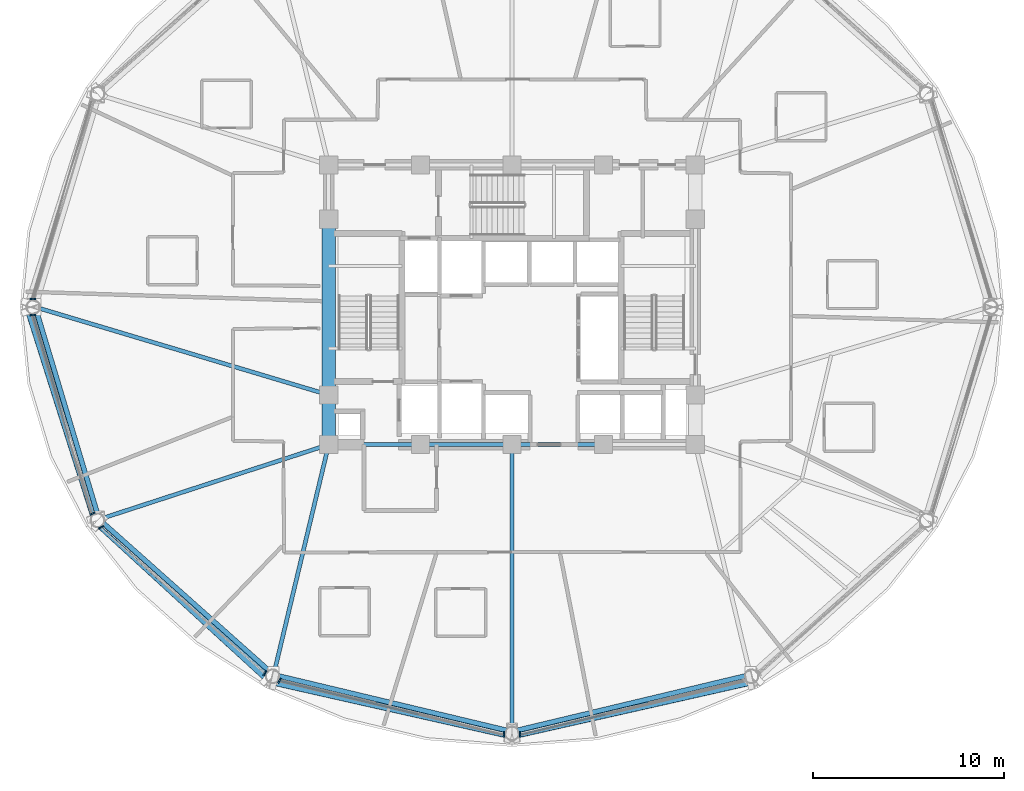
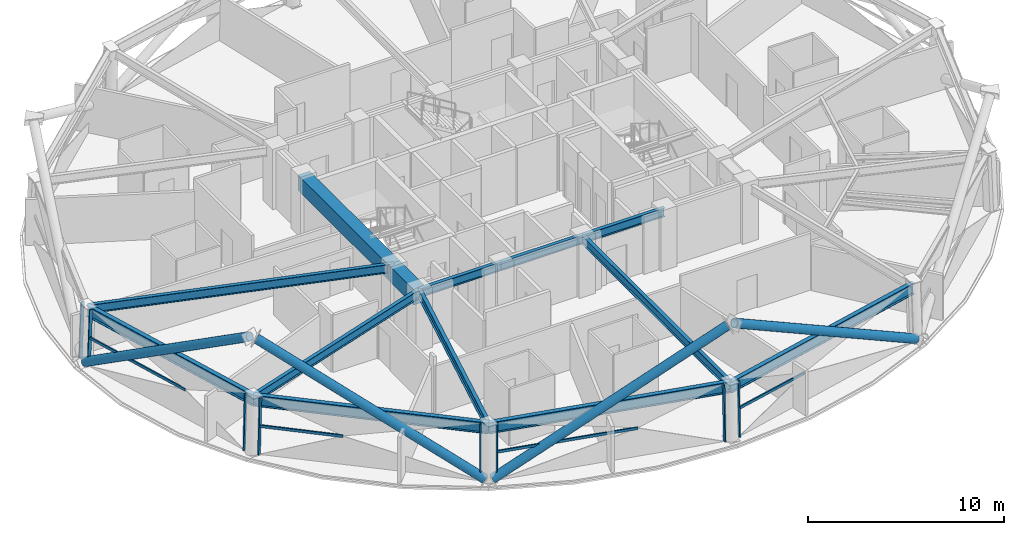
# One storey, part 2 of 15: 16 members, 13 beams, 5 elements without a shape of their own.
"""IFC4 building model written with IfcOpenShell, lengths in metres."""

from ifc_helpers import new_model, si_unit, direction, frame, origin, origin_2d, place, context, subcontext, project, spatial, rectangle, hollow_rectangle, hollow_circle, i_section, extrude, material, layer, layer_set, material_profile, profile_set, type_object, element, aggregate, save


model = new_model("IFC4")

# Units and contexts
model_context = context("Model", 3, precision=1e-05, world=origin(), true_north=direction((0.0, 1.0)))
body_context = subcontext(model_context, "Body", "Model", "MODEL_VIEW")
ifc_project = project(units=[si_unit("LENGTHUNIT", "METRE"), si_unit("AREAUNIT", "SQUARE_METRE"), si_unit("VOLUMEUNIT", "CUBIC_METRE"), si_unit("PLANEANGLEUNIT", "RADIAN"), si_unit("MASSUNIT", "GRAM", prefix="KILO")], contexts=[model_context])

# Site, building, storey
site_placement = place(None, origin())
site = spatial("IfcSite", under=ifc_project, at=site_placement, CompositionType="ELEMENT")
building_placement = place(site_placement, origin())
building = spatial("IfcBuilding", under=site, at=building_placement, Name="Vantalir Tower", CompositionType="ELEMENT")
storey_placement = place(building_placement, frame((0.0, 0.0, 134.699951171875)))
storey = spatial("IfcBuildingStorey", under=building, at=storey_placement, Name="L33", CompositionType="ELEMENT", Elevation=134.699951171875)

# Beams
ifc_material_1 = material(Name="Concrete C60/75", Category="concrete")
ifc_material_profile_1 = material_profile(ifc_material_1, rectangle(XDim=0.699951171875, YDim=0.949951171875, at=origin_2d()), Name="Concrete C60/75")
ifc_profile_set_1 = profile_set([ifc_material_profile_1], Name="Concrete C60/75")
beam_type_1 = type_object("IfcBeamType", Name="BM-CB-700x950", PredefinedType="USERDEFINED", material=ifc_profile_set_1)
beam_1_placement = place(storey_placement, frame((21.89990234375, 29.60009765625, 3.094970703125), z_axis=(0.0, -1.0, 0.0), x_axis=(1.0, 0.0, 0.0)))
element("IfcBeam", 1, at=beam_1_placement, inside=storey, type_object=beam_type_1, Name="L33 Core Coupling Girder 13", ObjectType="GIRDER", PredefinedType="USERDEFINED", context=body_context, shape_type="SweptSolid", body=[
    extrude(rectangle(XDim=0.699951171875, YDim=0.949951171875, at=origin_2d()), origin(), (0.0, 0.0, 1.0), 9.2001953125),
])
beam_2_placement = place(storey_placement, frame((21.89990234375, 20.39990234375, 3.094970703125), z_axis=(0.0, -1.0, 0.0), x_axis=(1.0, 0.0, 0.0)))
element("IfcBeam", 2, at=beam_2_placement, inside=storey, type_object=beam_type_1, Name="L33 Core Coupling Girder 14", ObjectType="GIRDER", PredefinedType="USERDEFINED", context=body_context, shape_type="SweptSolid", body=[
    extrude(rectangle(XDim=0.699951171875, YDim=0.949951171875, at=origin_2d()), origin(), (0.0, 0.0, 1.0), 2.599853515625),
])
ifc_material_2 = material(Name="Steel S355", Category="steel")
ifc_material_profile_2 = material_profile(ifc_material_2, i_section(OverallWidth=0.2109375, OverallDepth=0.5390625, WebThickness=0.01171875, FlangeThickness=0.018798828125, at=origin_2d()), Name="Steel S355")
ifc_profile_set_2 = profile_set([ifc_material_profile_2], Name="Steel S355")
beam_type_2 = type_object("IfcBeamType", Name="BM-RB-533x210", PredefinedType="BEAM", material=ifc_profile_set_2)
for number, where, z_axis, x_axis, name in (
    (3, (21.89990234375, 17.800048828125, 3.301025390625), (1.0, 0.0, 0.0), (0.0, 1.0, 0.0), "L33 Core Coupling Girder 01"),
    (4, (26.699951171875, 17.800048828125, 3.301025390625), (1.0, 0.0, 0.0), (0.0, 1.0, 0.0), "L33 Core Coupling Girder 02"),
    (5, (31.5, 17.800048828125, 3.301025390625), (1.0, 0.0, 0.0), (0.0, 1.0, 0.0), "L33 Core Coupling Girder 03"),
):
    element("IfcBeam", number, at=place(storey_placement, frame(where, z_axis=z_axis, x_axis=x_axis)), inside=storey, type_object=beam_type_2, Name=name, PredefinedType="BEAM", context=body_context, shape_type="SweptSolid", body=[
        extrude(i_section(OverallWidth=0.2109375, OverallDepth=0.5390625, WebThickness=0.01171875, FlangeThickness=0.018798828125, at=origin_2d()), origin(), (0.0, 0.0, 1.0), 4.800048828125),
    ])
beam_3_placement = place(storey_placement, frame((6.531005859375, 25.0, 3.301025390625), z_axis=(0.95800745753, -0.286743284694, 0.0), x_axis=(0.286743284694, 0.95800745753, 0.0)))
element("IfcBeam", 6, at=beam_3_placement, inside=storey, type_object=beam_type_2, Name="L33 Radial Floor Beam 07", PredefinedType="BEAM", context=body_context, shape_type="SweptSolid", body=[
    extrude(i_section(OverallWidth=0.2109375, OverallDepth=0.5390625, WebThickness=0.01171875, FlangeThickness=0.018798828125, at=origin_2d()), origin(), (0.0, 0.0, 1.0), 16.04248046875),
])
beam_4_placement = place(storey_placement, frame((9.8759765625, 13.882080078125, 3.301025390625), z_axis=(0.950796862904, 0.309814985906, 0.0), x_axis=(-0.309814985906, 0.950796862904, 0.0)))
element("IfcBeam", 7, at=beam_4_placement, inside=storey, type_object=beam_type_2, Name="L33 Radial Floor Beam 08", PredefinedType="BEAM", context=body_context, shape_type="SweptSolid", body=[
    extrude(i_section(OverallWidth=0.2109375, OverallDepth=0.5390625, WebThickness=0.01171875, FlangeThickness=0.018798828125, at=origin_2d()), origin(), (0.0, 0.0, 1.0), 12.646240234375),
])
beam_5_placement = place(storey_placement, frame((19.014892578125, 5.743896484375, 3.301025390625), z_axis=(0.232727102001, 0.972542079292, 0.0), x_axis=(-0.972542079292, 0.232727102001, 0.0)))
element("IfcBeam", 8, at=beam_5_placement, inside=storey, type_object=beam_type_2, Name="L33 Radial Floor Beam 09", PredefinedType="BEAM", context=body_context, shape_type="SweptSolid", body=[
    extrude(i_section(OverallWidth=0.2109375, OverallDepth=0.5390625, WebThickness=0.01171875, FlangeThickness=0.018798828125, at=origin_2d()), origin(), (0.0, 0.0, 1.0), 12.396484375),
])
beam_6_placement = place(storey_placement, frame((31.5, 2.764892578125, 3.301025390625), z_axis=(0.0, 1.0, 0.0), x_axis=(-1.0, 0.0, 0.0)))
element("IfcBeam", 9, at=beam_6_placement, inside=storey, type_object=beam_type_2, Name="L33 Radial Floor Beam 10", PredefinedType="BEAM", context=body_context, shape_type="SweptSolid", body=[
    extrude(i_section(OverallWidth=0.2109375, OverallDepth=0.5390625, WebThickness=0.01171875, FlangeThickness=0.018798828125, at=origin_2d()), origin(), (0.0, 0.0, 1.0), 15.03515625),
])
ifc_material_3 = material(Name="Steel S460", Category="steel")
ifc_material_profile_3 = material_profile(ifc_material_3, i_section(OverallWidth=0.256103515625, OverallDepth=0.693115234375, WebThickness=0.014404296875, FlangeThickness=0.023681640625, at=origin_2d()), Name="Steel S460")
ifc_profile_set_3 = profile_set([ifc_material_profile_3], Name="Steel S460")
beam_type_3 = type_object("IfcBeamType", Name="BM-RG-686x254", PredefinedType="USERDEFINED", material=ifc_profile_set_3)
beam_7_placement = place(storey_placement, frame((6.531005859375, 25.0, 3.22412109375), z_axis=(0.288105964569, -0.95759853445, 0.0), x_axis=(0.95759853445, 0.288105964569, 0.0)))
element("IfcBeam", 10, at=beam_7_placement, inside=storey, type_object=beam_type_3, Name="L33 Circumferential Ring Girder 07", ObjectType="GIRDER", PredefinedType="USERDEFINED", context=body_context, shape_type="SweptSolid", body=[
    extrude(i_section(OverallWidth=0.256103515625, OverallDepth=0.693115234375, WebThickness=0.014404296875, FlangeThickness=0.023681640625, at=origin_2d()), origin(), (0.0, 0.0, 1.0), 11.610107421875),
])
beam_8_placement = place(storey_placement, frame((9.8759765625, 13.882080078125, 3.22412109375), z_axis=(0.746812424308, -0.665034738115, 0.0), x_axis=(0.665034738115, 0.746812424308, 0.0)))
element("IfcBeam", 11, at=beam_8_placement, inside=storey, type_object=beam_type_3, Name="L33 Circumferential Ring Girder 08", ObjectType="GIRDER", PredefinedType="USERDEFINED", context=body_context, shape_type="SweptSolid", body=[
    extrude(i_section(OverallWidth=0.256103515625, OverallDepth=0.693115234375, WebThickness=0.014404296875, FlangeThickness=0.023681640625, at=origin_2d()), origin(), (0.0, 0.0, 1.0), 12.2373046875),
])
for number, where, z_axis, x_axis, name in (
    (12, (19.014892578125, 5.743896484375, 3.22412109375), (0.972694467918, -0.232089362278, 0.0), (0.232089362278, 0.972694467918, 0.0), "L33 Circumferential Ring Girder 09"),
    (13, (31.5, 2.764892578125, 3.18408203125), (0.972694467918, 0.232089362278, 0.0), (-0.232089362278, 0.972694467918, 0.0), "L33 Circumferential Ring Girder 10"),
):
    element("IfcBeam", number, at=place(storey_placement, frame(where, z_axis=z_axis, x_axis=x_axis)), inside=storey, type_object=beam_type_3, Name=name, ObjectType="GIRDER", PredefinedType="USERDEFINED", context=body_context, shape_type="SweptSolid", body=[
        extrude(i_section(OverallWidth=0.256103515625, OverallDepth=0.693115234375, WebThickness=0.014404296875, FlangeThickness=0.023681640625, at=origin_2d()), origin(), (0.0, 0.0, 1.0), 12.835693359375),
    ])

# Curtain wall, member
ifc_material_4 = material(Name="Champagne-silver PVDF aluminium and double-silver Low-E glass", Category="aluminium")
ifc_layer = layer(ifc_material_4, 0.199951171875)
ifc_layer_set = layer_set([ifc_layer], Name="Champagne-silver PVDF aluminium and double-silver Low-E glass")
curtain_wall_type = type_object("IfcCurtainWallType", Name="CW-DIAMOND-Z2", PredefinedType="USERDEFINED", material=ifc_layer_set)
curtain_wall_1_placement = place(storey_placement, origin())
curtain_wall_1 = element("IfcCurtainWall", 14, at=curtain_wall_1_placement, inside=storey, type_object=curtain_wall_type, Name="L33 Quilted Pyramid-Diamond Curtain Wall S06", ObjectType="UNITISED CURTAIN WALL", PredefinedType="USERDEFINED")
ifc_material_5 = material(Name="Champagne-silver PVDF aluminium 6063-T6", Category="aluminium")
ifc_material_profile_4 = material_profile(ifc_material_5, hollow_rectangle(XDim=0.074951171875, YDim=0.179931640625, WallThickness=0.00390625, at=origin_2d()), Name="Champagne-silver PVDF aluminium 6063-T6")
ifc_profile_set_4 = profile_set([ifc_material_profile_4], Name="Champagne-silver PVDF aluminium 6063-T6")
member_type_1 = type_object("IfcMemberType", Name="CWM-180x75", PredefinedType="MULLION", material=ifc_profile_set_4)
member_1_placement = place(storey_placement, frame((6.343994140625, 25.4208984375, 0.045166015625), z_axis=(0.035616506926, 0.0, 0.999365530942), x_axis=(0.0, 1.0, 0.0)))
member_1 = element("IfcMember", 15, at=member_1_placement, type_object=member_type_1, Name="CW-L33-S06 Mullion 2", PredefinedType="MULLION", context=body_context, shape_type="SweptSolid", body=[
    extrude(hollow_rectangle(XDim=0.074951171875, YDim=0.179931640625, WallThickness=0.00390625, at=origin_2d()), origin(), (0.0, 0.0, 1.0), 3.482177734375),
])
aggregate(curtain_wall_1, [member_1])

# Curtain wall, members
curtain_wall_2_placement = place(storey_placement, origin())
curtain_wall_2 = element("IfcCurtainWall", 16, at=curtain_wall_2_placement, inside=storey, type_object=curtain_wall_type, Name="L33 Quilted Pyramid-Diamond Curtain Wall S07", ObjectType="UNITISED CURTAIN WALL", PredefinedType="USERDEFINED")
member_2_placement = place(storey_placement, frame((6.343994140625, 24.5791015625, 0.045166015625), z_axis=(0.035616506926, 0.0, 0.999365530942), x_axis=(0.0, 1.0, 0.0)))
member_2 = element("IfcMember", 17, at=member_2_placement, type_object=member_type_1, Name="CW-L33-S07 Mullion 1", PredefinedType="MULLION", context=body_context, shape_type="SweptSolid", body=[
    extrude(hollow_rectangle(XDim=0.074951171875, YDim=0.179931640625, WallThickness=0.00390625, at=origin_2d()), origin(), (0.0, 0.0, 1.0), 3.482177734375),
])
member_3_placement = place(storey_placement, frame((9.47705078125, 14.153076171875, 0.045166015625), z_axis=(0.030990085207, 0.015775495863, 0.999395191278), x_axis=(-0.453653926964, 0.891177936525, 0.0)))
member_3 = element("IfcMember", 18, at=member_3_placement, type_object=member_type_1, Name="CW-L33-S07 Mullion 2", PredefinedType="MULLION", context=body_context, shape_type="SweptSolid", body=[
    extrude(hollow_rectangle(XDim=0.074951171875, YDim=0.179931640625, WallThickness=0.00390625, at=origin_2d()), origin(), (0.0, 0.0, 1.0), 3.482177734375),
])

curtain_wall_3_placement = place(storey_placement, origin())
curtain_wall_3 = element("IfcCurtainWall", 19, at=curtain_wall_3_placement, inside=storey, type_object=curtain_wall_type, Name="L33 Quilted Pyramid-Diamond Curtain Wall S08", ObjectType="UNITISED CURTAIN WALL", PredefinedType="USERDEFINED")
member_4_placement = place(storey_placement, frame((9.931884765625, 13.43896484375, 0.045166015625), z_axis=(0.031060130958, 0.015775461548, 0.999393017325), x_axis=(-0.452840062029, 0.891591766573, 0.0)))
member_4 = element("IfcMember", 20, at=member_4_placement, type_object=member_type_1, Name="CW-L33-S08 Mullion 1", PredefinedType="MULLION", context=body_context, shape_type="SweptSolid", body=[
    extrude(hollow_rectangle(XDim=0.074951171875, YDim=0.179931640625, WallThickness=0.00390625, at=origin_2d()), origin(), (0.0, 0.0, 1.0), 3.482177734375),
])
member_5_placement = place(storey_placement, frame((18.530029296875, 5.777099609375, 0.045166015625), z_axis=(0.017810101984, 0.02727610107, 0.99946926645), x_axis=(-0.837310723629, 0.546727310545, 0.0)))
member_5 = element("IfcMember", 21, at=member_5_placement, type_object=member_type_1, Name="CW-L33-S08 Mullion 2", PredefinedType="MULLION", context=body_context, shape_type="SweptSolid", body=[
    extrude(hollow_rectangle(XDim=0.074951171875, YDim=0.179931640625, WallThickness=0.00390625, at=origin_2d()), origin(), (0.0, 0.0, 1.0), 3.48193359375),
])

curtain_wall_4_placement = place(storey_placement, origin())
curtain_wall_4 = element("IfcCurtainWall", 22, at=curtain_wall_4_placement, inside=storey, type_object=curtain_wall_type, Name="L33 Quilted Pyramid-Diamond Curtain Wall S09", ObjectType="UNITISED CURTAIN WALL", PredefinedType="USERDEFINED")
member_6_placement = place(storey_placement, frame((19.285888671875, 5.382080078125, 0.045166015625), z_axis=(0.017810101984, 0.02727610107, 0.99946926645), x_axis=(-0.837310723629, 0.546727310545, 0.0)))
member_6 = element("IfcMember", 23, at=member_6_placement, type_object=member_type_1, Name="CW-L33-S09 Mullion 1", PredefinedType="MULLION", context=body_context, shape_type="SweptSolid", body=[
    extrude(hollow_rectangle(XDim=0.074951171875, YDim=0.179931640625, WallThickness=0.00390625, at=origin_2d()), origin(), (0.0, 0.0, 1.0), 3.48193359375),
])
member_7_placement = place(storey_placement, frame((31.072021484375, 2.56689453125, 0.045166015625), z_axis=(0.0, 0.031624415617, 0.99949982308), x_axis=(-1.0, 0.0, 0.0)))
member_7 = element("IfcMember", 24, at=member_7_placement, type_object=member_type_1, Name="CW-L33-S09 Mullion 2", PredefinedType="MULLION", context=body_context, shape_type="SweptSolid", body=[
    extrude(hollow_rectangle(XDim=0.074951171875, YDim=0.179931640625, WallThickness=0.00390625, at=origin_2d()), origin(), (0.0, 0.0, 1.0), 3.481689453125),
])

# Curtain wall, member
curtain_wall_5_placement = place(storey_placement, origin())
curtain_wall_5 = element("IfcCurtainWall", 25, at=curtain_wall_5_placement, inside=storey, type_object=curtain_wall_type, Name="L33 Quilted Pyramid-Diamond Curtain Wall S10", ObjectType="UNITISED CURTAIN WALL", PredefinedType="USERDEFINED")
member_8_placement = place(storey_placement, frame((31.927978515625, 2.56689453125, 0.045166015625), z_axis=(0.0, 0.031624415617, 0.99949982308), x_axis=(-1.0, 0.0, 0.0)))
member_8 = element("IfcMember", 26, at=member_8_placement, type_object=member_type_1, Name="CW-L33-S10 Mullion 1", PredefinedType="MULLION", context=body_context, shape_type="SweptSolid", body=[
    extrude(hollow_rectangle(XDim=0.074951171875, YDim=0.179931640625, WallThickness=0.00390625, at=origin_2d()), origin(), (0.0, 0.0, 1.0), 3.481689453125),
])

# Member
ifc_material_profile_5 = material_profile(ifc_material_5, hollow_rectangle(XDim=0.074951171875, YDim=0.159912109375, WallThickness=0.00390625, at=origin_2d()), Name="Champagne-silver PVDF aluminium 6063-T6")
ifc_profile_set_5 = profile_set([ifc_material_profile_5], Name="Champagne-silver PVDF aluminium 6063-T6")
member_type_2 = type_object("IfcMemberType", Name="CWT-160x75", PredefinedType="USERDEFINED", material=ifc_profile_set_5)
member_9_placement = place(storey_placement, frame((6.406005859375, 24.5791015625, 1.78515625), z_axis=(0.284458727708, -0.958688287313, 0.0), x_axis=(0.958688287313, 0.284458727708, 0.0)))
member_9 = element("IfcMember", 27, at=member_9_placement, type_object=member_type_2, Name="CW-L33-S07 Pyramid Fold Ridge Transom", ObjectType="TRANSOM", PredefinedType="USERDEFINED", context=body_context, shape_type="SweptSolid", body=[
    extrude(hollow_rectangle(XDim=0.074951171875, YDim=0.159912109375, WallThickness=0.00390625, at=origin_2d()), origin(), (0.0, 0.0, 1.0), 6.732177734375),
])

aggregate(curtain_wall_2, [member_2, member_3, member_9])

member_10_placement = place(storey_placement, frame((9.986083984375, 13.467041015625, 1.78515625), z_axis=(0.742957223036, -0.669338901259, 0.0), x_axis=(0.669338901259, 0.742957223036, 0.0)))
member_10 = element("IfcMember", 28, at=member_10_placement, type_object=member_type_2, Name="CW-L33-S08 Pyramid Fold Ridge Transom", ObjectType="TRANSOM", PredefinedType="USERDEFINED", context=body_context, shape_type="SweptSolid", body=[
    extrude(hollow_rectangle(XDim=0.074951171875, YDim=0.159912109375, WallThickness=0.00390625, at=origin_2d()), origin(), (0.0, 0.0, 1.0), 4.36083984375),
])

aggregate(curtain_wall_3, [member_4, member_5, member_10])

member_11_placement = place(storey_placement, frame((19.31689453125, 5.428955078125, 1.78515625), z_axis=(0.97193210473, -0.235261522132, 0.0), x_axis=(0.235261522132, 0.97193210473, 0.0)))
member_11 = element("IfcMember", 29, at=member_11_placement, type_object=member_type_2, Name="CW-L33-S09 Pyramid Fold Ridge Transom", ObjectType="TRANSOM", PredefinedType="USERDEFINED", context=body_context, shape_type="SweptSolid", body=[
    extrude(hollow_rectangle(XDim=0.074951171875, YDim=0.159912109375, WallThickness=0.00390625, at=origin_2d()), origin(), (0.0, 0.0, 1.0), 7.49365234375),
])

aggregate(curtain_wall_4, [member_6, member_7, member_11])

member_12_placement = place(storey_placement, frame((31.927978515625, 2.6220703125, 1.78515625), z_axis=(0.973817283045, 0.227332134209, 0.0), x_axis=(-0.227332134209, 0.973817283045, 0.0)))
member_12 = element("IfcMember", 30, at=member_12_placement, type_object=member_type_2, Name="CW-L33-S10 Pyramid Fold Ridge Transom", ObjectType="TRANSOM", PredefinedType="USERDEFINED", context=body_context, shape_type="SweptSolid", body=[
    extrude(hollow_rectangle(XDim=0.074951171875, YDim=0.159912109375, WallThickness=0.00390625, at=origin_2d()), origin(), (0.0, 0.0, 1.0), 4.592041015625),
])

aggregate(curtain_wall_5, [member_8, member_12])

# Members
ifc_material_profile_6 = material_profile(ifc_material_3, hollow_circle(Radius=0.260009765625, WallThickness=0.0380859375, at=origin_2d()), Name="Steel S460")
ifc_profile_set_6 = profile_set([ifc_material_profile_6], Name="Steel S460")
member_type_3 = type_object("IfcMemberType", Name="MEM-DB-520x38", PredefinedType="BRACE", material=ifc_profile_set_6)
member_13_placement = place(storey_placement, frame((6.27392578125, 24.821044921875, 0.195068359375), z_axis=(0.258089323855, -0.813717143064, 0.520820806031), x_axis=(0.953203145042, 0.302330554662, 0.0)))
element("IfcMember", 31, at=member_13_placement, inside=storey, type_object=member_type_3, Name="L33 Perimeter S460 Diagrid Brace R19L", PredefinedType="BRACE", context=body_context, shape_type="SweptSolid", body=[
    extrude(hollow_circle(Radius=0.260009765625, WallThickness=0.0380859375, at=origin_2d()), origin(), (0.0, 0.0, 1.0), 13.305908203125),
])
member_14_placement = place(storey_placement, frame((19.0458984375, 5.44189453125, 0.18603515625), z_axis=(0.853784086425, -0.192790503174, 0.48361612427), x_axis=(0.220261467336, 0.975440867509, 0.0)))
element("IfcMember", 32, at=member_14_placement, inside=storey, type_object=member_type_3, Name="L33 Perimeter S460 Diagrid Brace R25L", PredefinedType="BRACE", context=body_context, shape_type="SweptSolid", body=[
    extrude(hollow_circle(Radius=0.260009765625, WallThickness=0.0380859375, at=origin_2d()), origin(), (0.0, 0.0, 1.0), 14.36669921875),
])
member_15_placement = place(storey_placement, frame((18.718017578125, 5.613037109375, 0.18994140625), z_axis=(-0.637671704627, 0.584129044737, 0.502163376016), x_axis=(-0.675471135285, -0.737386428812, 0.0)))
element("IfcMember", 33, at=member_15_placement, inside=storey, type_object=member_type_3, Name="L33 Perimeter S460 Diagrid Brace R25R", PredefinedType="BRACE", context=body_context, shape_type="SweptSolid", body=[
    extrude(hollow_circle(Radius=0.260009765625, WallThickness=0.0380859375, at=origin_2d()), origin(), (0.0, 0.0, 1.0), 13.820556640625),
])
member_16_placement = place(storey_placement, frame((43.9541015625, 5.44189453125, 0.18603515625), z_axis=(-0.853784086425, -0.192790503174, 0.48361612427), x_axis=(0.220261467336, -0.975440867509, 0.0)))
element("IfcMember", 34, at=member_16_placement, inside=storey, type_object=member_type_3, Name="L33 Perimeter S460 Diagrid Brace R31R", PredefinedType="BRACE", context=body_context, shape_type="SweptSolid", body=[
    extrude(hollow_circle(Radius=0.260009765625, WallThickness=0.0380859375, at=origin_2d()), origin(), (0.0, 0.0, 1.0), 14.36669921875),
])

save(model, "model.ifc")
